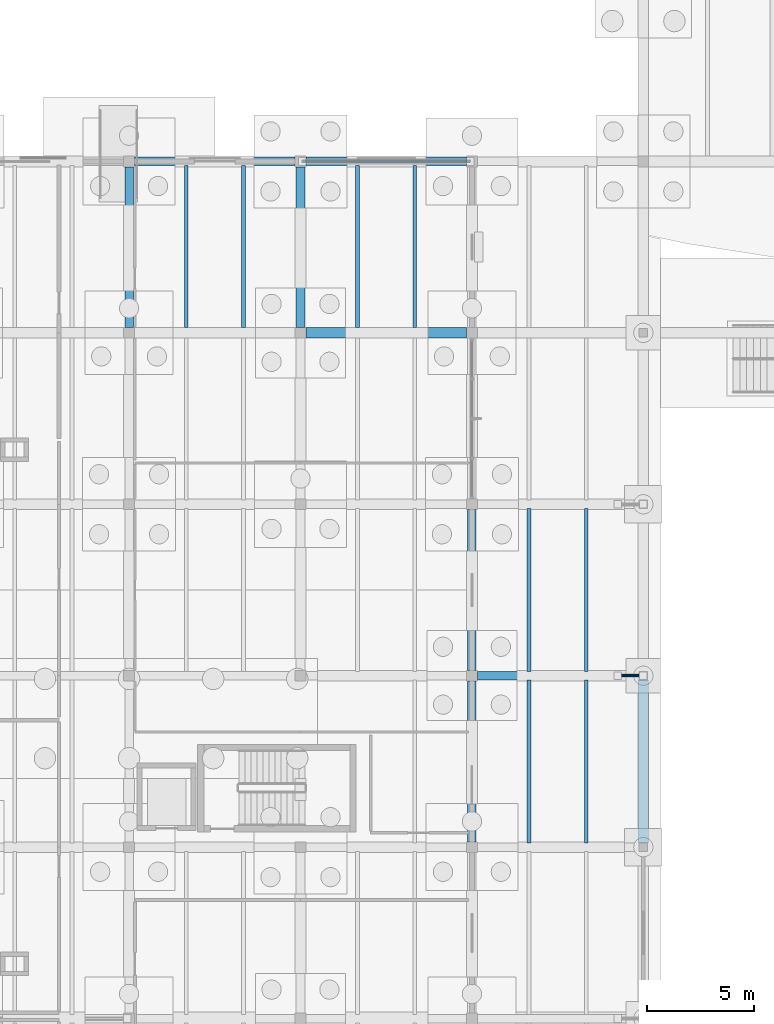
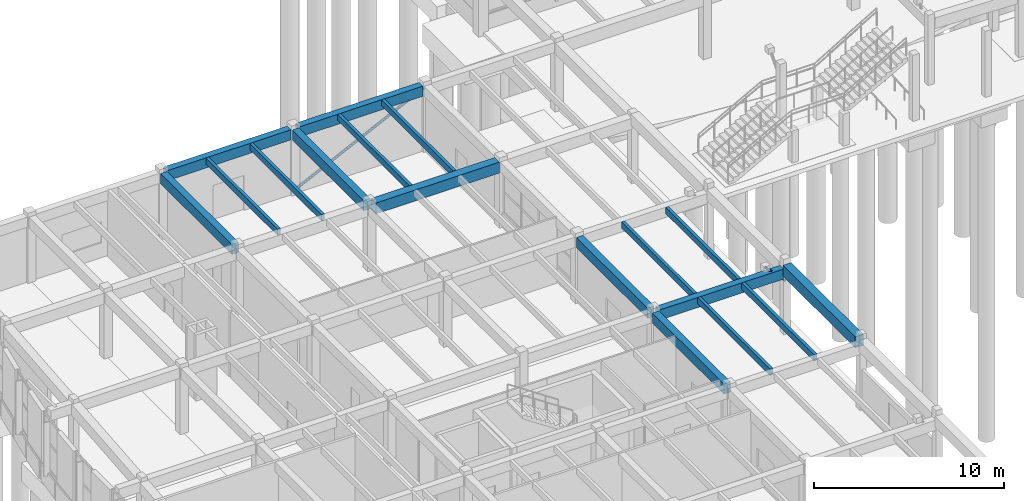
# One storey, part 27 of 99: 17 beams, 2 members.
"""IFC4 building model written with IfcOpenShell, lengths in metres."""

import ifcopenshell
import ifcopenshell.guid

model = None  # the IFC model being written
_history = None  # IfcOwnerHistory: only IFC2X3 demands one
_inside = {}  # id of a spatial element -> (the spatial element, [elements in it])
_under = {}  # id of a project, library or spatial element -> (it, [spatial elements below it])
_declared = {}  # id of a project -> (the project, [libraries it declares])
_typed = {}  # id of a type object -> (the type object, [elements of that type])
_made_of = {}  # id of a material, layer set ... -> (it, [elements and type objects made of it])


def new_model(schema):
    """Start an empty IFC model of exactly this schema.

    Asked for "IFC4X3", IfcOpenShell would pick the latest addendum, in which some entities
    have other attributes; the version numbers below select the first issue.
    IFC2X3 requires an IfcOwnerHistory on every rooted entity: one is made here for all.
    """
    global model, _history
    if schema == "IFC4X3":
        model = ifcopenshell.file(schema_version=(4, 3, 0, 0))
    else:
        model = ifcopenshell.file(schema=schema)
    _inside.clear()
    _under.clear()
    _declared.clear()
    _typed.clear()
    _made_of.clear()
    _history = None
    if model.schema == "IFC2X3":
        org = make("IfcOrganization", Name="unknown")
        user = make(
            "IfcPersonAndOrganization",
            ThePerson=make("IfcPerson", FamilyName="unknown"),
            TheOrganization=org,
        )
        app = make(
            "IfcApplication",
            ApplicationDeveloper=org,
            Version="unknown",
            ApplicationFullName="unknown",
            ApplicationIdentifier="unknown",
        )
        _history = make(
            "IfcOwnerHistory",
            OwningUser=user,
            OwningApplication=app,
            ChangeAction="ADDED",
            CreationDate=0,
        )
    return model


def make(cls, **values):
    """One entity of the class cls with the attributes given. An attribute that is None is left unset."""
    return model.create_entity(
        cls, **{name: value for name, value in values.items() if value is not None}
    )


def rooted(cls, **values):
    """An entity with a GlobalId (a new one), such as an element, a storey or a relation."""
    return make(cls, GlobalId=ifcopenshell.guid.new(), OwnerHistory=_history, **values)


def si_unit(unit_type, name, prefix=None):
    """IfcSIUnit, for example si_unit("LENGTHUNIT", "METRE", prefix="MILLI")."""
    return make("IfcSIUnit", UnitType=unit_type, Prefix=prefix, Name=name)


def assignment(units):
    """IfcUnitAssignment: the units of a project."""
    return None if units is None else make("IfcUnitAssignment", Units=units)


def point(xyz):
    """IfcCartesianPoint."""
    return None if xyz is None else make("IfcCartesianPoint", Coordinates=xyz)


def direction(xyz):
    """IfcDirection."""
    return None if xyz is None else make("IfcDirection", DirectionRatios=xyz)


def frame(location, z_axis=None, x_axis=None):
    """IfcAxis2Placement3D, a coordinate frame: its origin and axes. An axis left out is left unset."""
    return make(
        "IfcAxis2Placement3D",
        Location=point(location),
        Axis=direction(z_axis),
        RefDirection=direction(x_axis),
    )


def frame_2d(location, x_axis=None):
    """IfcAxis2Placement2D, a coordinate frame in the plane: its origin and x axis."""
    return make(
        "IfcAxis2Placement2D", Location=point(location), RefDirection=direction(x_axis)
    )


def origin():
    """The frame at (0, 0, 0) with its axes left unset."""
    return frame((0.0, 0.0, 0.0))


def origin_2d():
    """The frame at (0, 0) in the plane with its x axis left unset."""
    return frame_2d((0.0, 0.0))


def place(relative_to, where):
    """IfcLocalPlacement: puts the frame where relative to a parent placement (None: the world)."""
    return make(
        "IfcLocalPlacement", PlacementRelTo=relative_to, RelativePlacement=where
    )


def context(
    kind, dimensions, precision=None, world=None, true_north=None, identifier=None
):
    """IfcGeometricRepresentationContext, for example the 3D "Model" context."""
    return make(
        "IfcGeometricRepresentationContext",
        ContextIdentifier=identifier,
        ContextType=kind,
        CoordinateSpaceDimension=dimensions,
        Precision=precision,
        WorldCoordinateSystem=world,
        TrueNorth=true_north,
    )


def subcontext(parent, identifier, kind, view, scale=None):
    """IfcGeometricRepresentationSubContext, for example "Body" below "Model"."""
    return make(
        "IfcGeometricRepresentationSubContext",
        ContextIdentifier=identifier,
        ContextType=kind,
        ParentContext=parent,
        TargetScale=scale,
        TargetView=view,
    )


def project(units=None, contexts=None):
    """IfcProject with its units and contexts."""
    return rooted(
        "IfcProject",
        Name="project",
        RepresentationContexts=contexts,
        UnitsInContext=assignment(units),
    )


def spatial(cls, under=None, at=None, **own):
    """A site, building, storey or space (cls), placed at a placement, below another one or the project."""
    s = rooted(cls, ObjectPlacement=at, **own)
    if under is not None:
        _under.setdefault(under.id(), (under, []))[1].append(s)
    return s


def profile(cls, at=None, kind="AREA", **sizes):
    """A parametric profile (cls). Its sizes go by their IFC names, for example OverallWidth=200.0."""
    return make(cls, ProfileType=kind, Position=at, **sizes)


def rectangle(**sizes):
    """IfcRectangleProfileDef."""
    return profile("IfcRectangleProfileDef", **sizes)


def hollow_circle(**sizes):
    """IfcCircleHollowProfileDef."""
    return profile("IfcCircleHollowProfileDef", **sizes)


def extrude(swept, where, along, depth):
    """IfcExtrudedAreaSolid: the profile swept, set in the frame where, extruded along a direction by depth."""
    return make(
        "IfcExtrudedAreaSolid",
        SweptArea=swept,
        Position=where,
        ExtrudedDirection=direction(along),
        Depth=depth,
    )


def shape(context_of_items, identifier, shape_type, items):
    """IfcShapeRepresentation: the items that make up one representation, for example the "Body"."""
    return make(
        "IfcShapeRepresentation",
        ContextOfItems=context_of_items,
        RepresentationIdentifier=identifier,
        RepresentationType=shape_type,
        Items=items,
    )


def material(Name=None, Category=None):
    """IfcMaterial."""
    return make("IfcMaterial", Name=Name, Category=Category)


def material_profile(
    of_material, cross_section, Name=None, Category=None, Priority=None
):
    """IfcMaterialProfile: a cross section and its material."""
    return make(
        "IfcMaterialProfile",
        Name=Name,
        Material=of_material,
        Profile=cross_section,
        Priority=Priority,
        Category=Category,
    )


def profile_set(profiles, Name=None, composite=None):
    """IfcMaterialProfileSet."""
    return make(
        "IfcMaterialProfileSet",
        Name=Name,
        MaterialProfiles=profiles,
        CompositeProfile=composite,
    )


def made_of(thing, what):
    """Note that an element or type object is made of a material, layer set ...; save() writes the relation."""
    if what is not None:
        _made_of.setdefault(what.id(), (what, []))[1].append(thing)
    return thing


def type_object(cls, material=None, **own):
    """A type object (cls), such as IfcWallType, which elements share."""
    return made_of(rooted(cls, **own), material)


def element(
    cls,
    number,
    at=None,
    inside=None,
    cuts=None,
    type_object=None,
    material=None,
    context=None,
    identifier="Body",
    shape_type=None,
    held_by="IfcProductDefinitionShape",
    body=None,
    shapes=None,
    **own,
):
    """One element of the class cls, such as IfcWall. Its Tag is "e" and its number.

    at: its placement. inside: the storey or other place that contains it. cuts: it is an
    opening in that element (IfcRelVoidsElement). A single representation is given by context,
    identifier, shape_type and body (its items); several are given by shapes. held_by: the class
    of the entity that holds the representations. save() writes the other relations.
    """
    e = rooted(cls, Tag="e%d" % number, ObjectPlacement=at, **own)
    if body is not None:
        shapes = [shape(context, identifier, shape_type, body)]
    if shapes is not None:
        e.Representation = make(held_by, Representations=shapes)
    if inside is not None:
        _inside.setdefault(inside.id(), (inside, []))[1].append(e)
    if cuts is not None:
        rooted(
            "IfcRelVoidsElement", RelatingBuildingElement=cuts, RelatedOpeningElement=e
        )
    if type_object is not None:
        _typed.setdefault(type_object.id(), (type_object, []))[1].append(e)
    return made_of(e, material)


def aggregate(whole, parts):
    """IfcRelAggregates: a whole, such as a stair, and the parts it consists of."""
    return rooted("IfcRelAggregates", RelatingObject=whole, RelatedObjects=parts)


def save(model, path):
    """Write the relations noted so far, then the file.

    IfcRelAggregates (storeys below a building ...), IfcRelContainedInSpatialStructure (elements
    in a storey), IfcRelDefinesByType, IfcRelAssociatesMaterial and IfcRelDeclares: one each for
    every whole, place, type object, material and project.
    """
    for whole, parts in _under.values():
        aggregate(whole, parts)
    for where, things in _inside.values():
        rooted(
            "IfcRelContainedInSpatialStructure",
            RelatedElements=things,
            RelatingStructure=where,
        )
    for kind, things in _typed.values():
        rooted("IfcRelDefinesByType", RelatedObjects=things, RelatingType=kind)
    for what, things in _made_of.values():
        rooted("IfcRelAssociatesMaterial", RelatedObjects=things, RelatingMaterial=what)
    for by, libraries in _declared.values():
        rooted("IfcRelDeclares", RelatingContext=by, RelatedDefinitions=libraries)
    model.write(path)


model = new_model("IFC4")

# Units and contexts
model_context = context("Model", 3, precision=1e-05, world=origin(), true_north=direction((0.0, 1.0)))
body_context = subcontext(model_context, "Body", "Model", "MODEL_VIEW")
ifc_project = project(units=[si_unit("LENGTHUNIT", "METRE"), si_unit("AREAUNIT", "SQUARE_METRE"), si_unit("VOLUMEUNIT", "CUBIC_METRE"), si_unit("PLANEANGLEUNIT", "RADIAN"), si_unit("MASSUNIT", "GRAM", prefix="KILO")], contexts=[model_context])

# Site, building, storey
site_placement = place(None, origin())
site = spatial("IfcSite", under=ifc_project, at=site_placement, CompositionType="ELEMENT")
building_placement = place(site_placement, origin())
building = spatial("IfcBuilding", under=site, at=building_placement, Name="Tonlespit Floodbar School", CompositionType="ELEMENT")
storey_placement = place(building_placement, origin())
storey = spatial("IfcBuildingStorey", under=building, at=storey_placement, Name="L00", CompositionType="ELEMENT", Elevation=0.0)

# Beams
ifc_material_1 = material(Name="Concrete C40/50", Category="concrete")
ifc_material_profile_1 = material_profile(ifc_material_1, rectangle(XDim=0.39990234375, YDim=0.64990234375, at=origin_2d()), Name="RC 400x650")
ifc_profile_set_1 = profile_set([ifc_material_profile_1], Name="Concrete C40/50")
beam_type_1 = type_object("IfcBeamType", Name="Beam_RC_400x650", PredefinedType="BEAM", material=ifc_profile_set_1)
beam_1_placement = place(storey_placement, frame((36.25, 72.0, 3.9150390625), z_axis=(1.0, 0.0, 0.0), x_axis=(0.0, 1.0, 0.0)))
element("IfcBeam", 1, at=beam_1_placement, inside=storey, type_object=beam_type_1, Name="L00 girder 0072", PredefinedType="BEAM", context=body_context, shape_type="SweptSolid", body=[
    extrude(rectangle(XDim=0.39990234375, YDim=0.64990234375, at=origin_2d()), origin(), (0.0, 0.0, 1.0), 7.550048828125),
])
for number, where, z_axis, x_axis, name in (
    (2, (20.25, 96.0, 3.9150390625), (1.0, 0.0, 0.0), (0.0, 1.0, 0.0), "L00 girder 0109"),
    (3, (28.25, 96.0, 3.9150390625), (1.0, 0.0, 0.0), (0.0, 1.0, 0.0), "L00 girder 0110"),
    (4, (20.0, 88.25, 3.9150390625), (0.0, 1.0, 0.0), (-1.0, 0.0, 0.0), "L00 girder 0196"),
    (5, (28.0, 88.25, 3.9150390625), (0.0, 1.0, 0.0), (-1.0, 0.0, 0.0), "L00 girder 0208"),
    (6, (36.0, 64.25, 3.9150390625), (0.0, 1.0, 0.0), (-1.0, 0.0, 0.0), "L00 girder 0217"),
    (7, (36.0, 72.25, 3.9150390625), (0.0, 1.0, 0.0), (-1.0, 0.0, 0.0), "L00 girder 0218"),
):
    element("IfcBeam", number, at=place(storey_placement, frame(where, z_axis=z_axis, x_axis=x_axis)), inside=storey, type_object=beam_type_1, Name=name, PredefinedType="BEAM", context=body_context, shape_type="SweptSolid", body=[
        extrude(rectangle(XDim=0.39990234375, YDim=0.64990234375, at=origin_2d()), origin(), (0.0, 0.0, 1.0), 7.5),
    ])

# Member
ifc_material_2 = material(Name="Steel S355", Category="steel")
ifc_material_profile_2 = material_profile(ifc_material_2, hollow_circle(Radius=0.084228515625, WallThickness=0.008056640625, at=origin_2d()), Name="CHS 168.3x8")
ifc_profile_set_2 = profile_set([ifc_material_profile_2], Name="Steel S355")
member_type_1 = type_object("IfcMemberType", Name="Brace_STL_CHS168", PredefinedType="BRACE", material=ifc_profile_set_2)
member_1_placement = place(storey_placement, frame((28.080078125, 96.0, 0.14990234375), z_axis=(0.899863104684, 0.0, 0.436172434741), x_axis=(0.0, 1.0, 0.0)))
element("IfcMember", 8, at=member_1_placement, inside=storey, type_object=member_type_1, Name="L00 exposed deconstructivist lateral brace 2", PredefinedType="BRACE", context=body_context, shape_type="SweptSolid", body=[
    extrude(hollow_circle(Radius=0.084228515625, WallThickness=0.008056640625, at=origin_2d()), origin(), (0.0, 0.0, 1.0), 8.712158203125),
])

# Beams
ifc_material_3 = material(Name="Glulam GL28h", Category="wood")
ifc_material_profile_3 = material_profile(ifc_material_3, rectangle(XDim=0.179931640625, YDim=0.39990234375, at=origin_2d()), Name="GL 180x400")
ifc_profile_set_3 = profile_set([ifc_material_profile_3], Name="Glulam GL28h")
beam_type_2 = type_object("IfcBeamType", Name="Joist_GL_180x400", PredefinedType="JOIST", material=ifc_profile_set_3)
for number, where, z_axis, x_axis, name in (
    (9, (38.666748046875, 64.199951171875, 4.0400390625), (0.0, 1.0, 0.0), (-1.0, 0.0, 0.0), "L00 secondary joist 0422"),
    (10, (41.333251953125, 64.199951171875, 4.0400390625), (0.0, 1.0, 0.0), (-1.0, 0.0, 0.0), "L00 secondary joist 0423"),
    (11, (38.666748046875, 72.199951171875, 4.0400390625), (0.0, 1.0, 0.0), (-1.0, 0.0, 0.0), "L00 secondary joist 0442"),
    (12, (41.333251953125, 72.199951171875, 4.0400390625), (0.0, 1.0, 0.0), (-1.0, 0.0, 0.0), "L00 secondary joist 0443"),
):
    element("IfcBeam", number, at=place(storey_placement, frame(where, z_axis=z_axis, x_axis=x_axis)), inside=storey, type_object=beam_type_2, Name=name, PredefinedType="JOIST", context=body_context, shape_type="SweptSolid", body=[
        extrude(rectangle(XDim=0.179931640625, YDim=0.39990234375, at=origin_2d()), origin(), (0.0, 0.0, 1.0), 7.60009765625),
    ])
for number, where, z_axis, x_axis, name in (
    (13, (22.666748046875, 88.25, 4.0400390625), (0.0, 1.0, 0.0), (-1.0, 0.0, 0.0), "L00 secondary joist 0466"),
    (14, (25.333251953125, 88.25, 4.0400390625), (0.0, 1.0, 0.0), (-1.0, 0.0, 0.0), "L00 secondary joist 0467"),
    (15, (30.666748046875, 88.25, 4.0400390625), (0.0, 1.0, 0.0), (-1.0, 0.0, 0.0), "L00 secondary joist 0468"),
    (16, (33.333251953125, 88.25, 4.0400390625), (0.0, 1.0, 0.0), (-1.0, 0.0, 0.0), "L00 secondary joist 0469"),
):
    element("IfcBeam", number, at=place(storey_placement, frame(where, z_axis=z_axis, x_axis=x_axis)), inside=storey, type_object=beam_type_2, Name=name, PredefinedType="JOIST", context=body_context, shape_type="SweptSolid", body=[
        extrude(rectangle(XDim=0.179931640625, YDim=0.39990234375, at=origin_2d()), origin(), (0.0, 0.0, 1.0), 7.550048828125),
    ])
ifc_material_profile_4 = material_profile(ifc_material_1, rectangle(XDim=0.5, YDim=0.699951171875, at=origin_2d()), Name="RC 500x700")
ifc_profile_set_4 = profile_set([ifc_material_profile_4], Name="Concrete C40/50")
beam_type_3 = type_object("IfcBeamType", Name="Spandrel_RC_500x700", PredefinedType="SPANDREL", material=ifc_profile_set_4)
beam_2_placement = place(storey_placement, frame((28.25, 88.0, 3.889892578125), z_axis=(1.0, 0.0, 0.0), x_axis=(0.0, 1.0, 0.0)))
element("IfcBeam", 17, at=beam_2_placement, inside=storey, type_object=beam_type_3, Name="L00 girder 0094", PredefinedType="SPANDREL", context=body_context, shape_type="SweptSolid", body=[
    extrude(rectangle(XDim=0.5, YDim=0.699951171875, at=origin_2d()), origin(), (0.0, 0.0, 1.0), 7.5),
])
beam_3_placement = place(storey_placement, frame((44.0, 64.199951171875, 4.14990234375), z_axis=(0.0, 1.0, 0.0), x_axis=(-1.0, 0.0, 0.0)))
element("IfcBeam", 18, at=beam_3_placement, inside=storey, type_object=beam_type_3, Name="L00 girder 0229", PredefinedType="SPANDREL", context=body_context, shape_type="SweptSolid", body=[
    extrude(rectangle(XDim=0.5, YDim=0.699951171875, at=origin_2d()), origin(), (0.0, 0.0, 1.0), 7.60009765625),
])

# Member
ifc_material_profile_5 = material_profile(ifc_material_2, hollow_circle(Radius=0.06982421875, WallThickness=0.00634765625, at=origin_2d()), Name="CHS 139.7x6.3")
ifc_profile_set_5 = profile_set([ifc_material_profile_5], Name="Steel S355")
member_type_2 = type_object("IfcMemberType", Name="Strut_STL_CHS139", PredefinedType="STRUT", material=ifc_profile_set_5)
member_2_placement = place(storey_placement, frame((44.0, 72.0, 3.300048828125), z_axis=(-0.68391798523, 0.0, 0.729558900623), x_axis=(0.0, -1.0, 0.0)))
element("IfcMember", 19, at=member_2_placement, inside=storey, type_object=member_type_2, Name="West colonnade canopy strut 6", PredefinedType="STRUT", context=body_context, shape_type="SweptSolid", body=[
    extrude(hollow_circle(Radius=0.06982421875, WallThickness=0.00634765625, at=origin_2d()), origin(), (0.0, 0.0, 1.0), 1.754638671875),
])

save(model, "model.ifc")
